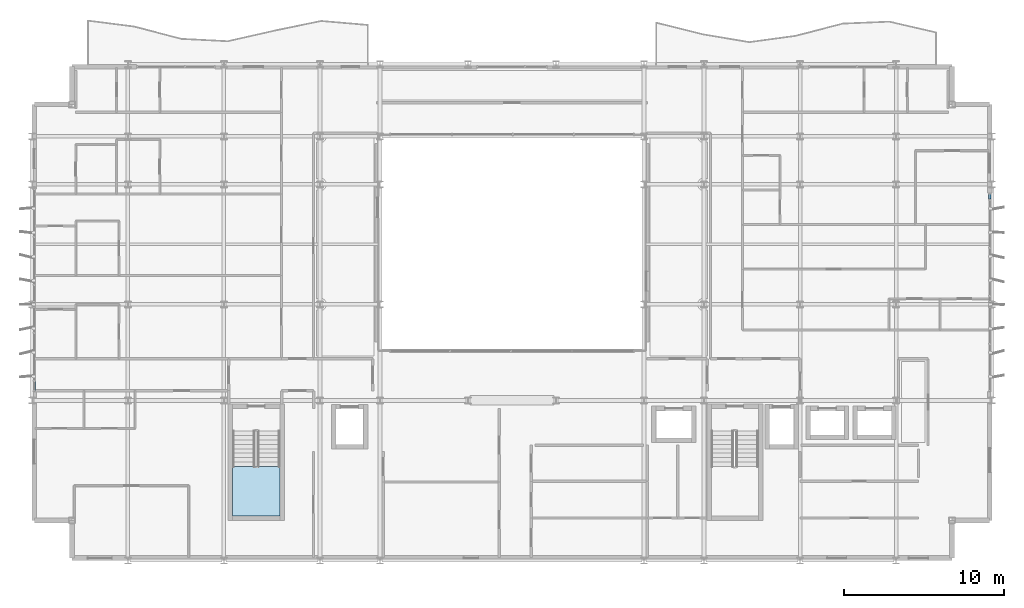
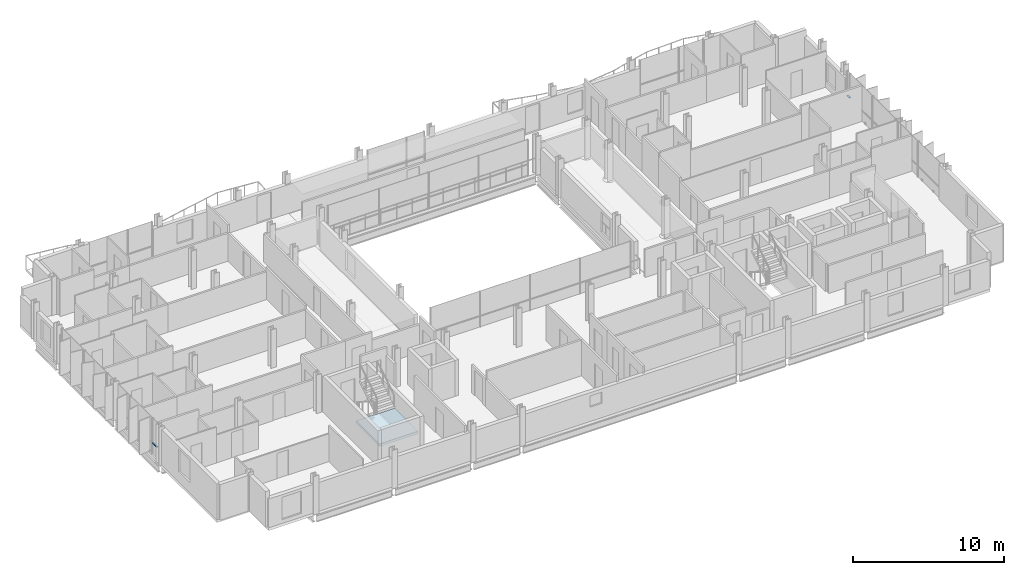
# One storey, part 23 of 39: 2 members, 1 slab, 3 elements without a shape of their own.
"""IFC4 building model written with IfcOpenShell, lengths in metres."""

from ifc_helpers import new_model, si_unit, direction, frame, origin, origin_2d, place, context, subcontext, project, spatial, polyline, hollow_rectangle, outline, extrude, material, layer, layer_set, material_profile, profile_set, type_object, element, aggregate, save


model = new_model("IFC4")

# Units and contexts
model_context = context("Model", 3, precision=1e-05, world=origin(), true_north=direction((0.0, 1.0)))
body_context = subcontext(model_context, "Body", "Model", "MODEL_VIEW")
ifc_project = project(units=[si_unit("LENGTHUNIT", "METRE"), si_unit("AREAUNIT", "SQUARE_METRE"), si_unit("VOLUMEUNIT", "CUBIC_METRE"), si_unit("PLANEANGLEUNIT", "RADIAN"), si_unit("MASSUNIT", "GRAM", prefix="KILO")], contexts=[model_context])

# Site, building, storey
site_placement = place(None, origin())
site = spatial("IfcSite", under=ifc_project, at=site_placement, CompositionType="ELEMENT")
building_placement = place(site_placement, origin())
building = spatial("IfcBuilding", under=site, at=building_placement, Name="Brevholm Reach", CompositionType="ELEMENT")
storey_placement = place(building_placement, frame((0.0, 0.0, 154.199951171875)))
storey = spatial("IfcBuildingStorey", under=building, at=storey_placement, Name="L46", CompositionType="ELEMENT", Elevation=154.199951171875)

# Curtain wall, member
ifc_material_1 = material(Name="Dark Anodised Aluminium 6063-T6 and Solar-Control Glass", Category="aluminium")
ifc_layer_1 = layer(ifc_material_1, 0.14990234375)
ifc_layer_set_1 = layer_set([ifc_layer_1], Name="Dark Anodised Aluminium 6063-T6 and Solar-Control Glass")
curtain_wall_type = type_object("IfcCurtainWallType", Name="CW-01", PredefinedType="NOTDEFINED", material=ifc_layer_set_1)
curtain_wall_1_placement = place(storey_placement, origin())
curtain_wall_1 = element("IfcCurtainWall", 1, at=curtain_wall_1_placement, inside=storey, type_object=curtain_wall_type, Name="L46 Curtain Wall CW-01", PredefinedType="NOTDEFINED")
ifc_material_2 = material(Name="Dark Anodised Aluminium 6063-T6", Category="aluminium")
ifc_material_profile = material_profile(ifc_material_2, hollow_rectangle(XDim=0.06494140625, YDim=0.14990234375, WallThickness=0.0048828125, InnerFilletRadius=0.0048828125, OuterFilletRadius=0.010009765625, at=origin_2d()), Name="RHS 150x65x5")
ifc_profile_set = profile_set([ifc_material_profile], Name="Dark Anodised Aluminium 6063-T6")
member_type = type_object("IfcMemberType", Name="CWT-150", PredefinedType="NOTDEFINED", material=ifc_profile_set)
member_1_placement = place(storey_placement, frame((0.14990234375, 11.1875, 0.900146484375), z_axis=(0.0, -1.0, 0.0), x_axis=(0.0, 0.0, 1.0)))
member_1 = element("IfcMember", 2, at=member_1_placement, type_object=member_type, Name="CT-150 Transom 5.1", ObjectType="TRANSOM", PredefinedType="USERDEFINED", context=body_context, shape_type="SweptSolid", body=[
    extrude(hollow_rectangle(XDim=0.06494140625, YDim=0.14990234375, WallThickness=0.0048828125, InnerFilletRadius=0.0048828125, OuterFilletRadius=0.010009765625, at=origin_2d()), origin(), (0.0, 0.0, 1.0), 0.572509765625),
])
aggregate(curtain_wall_1, [member_1])

curtain_wall_2_placement = place(storey_placement, origin())
curtain_wall_2 = element("IfcCurtainWall", 3, at=curtain_wall_2_placement, inside=storey, type_object=curtain_wall_type, Name="L46 Curtain Wall CW-01", PredefinedType="NOTDEFINED")
member_2_placement = place(storey_placement, frame((59.85009765625, 22.58251953125, 0.900146484375), z_axis=(0.0, 1.0, 0.0), x_axis=(0.0, 0.0, 1.0)))
member_2 = element("IfcMember", 4, at=member_2_placement, type_object=member_type, Name="CT-150 Transom 5.1", ObjectType="TRANSOM", PredefinedType="USERDEFINED", context=body_context, shape_type="SweptSolid", body=[
    extrude(hollow_rectangle(XDim=0.06494140625, YDim=0.14990234375, WallThickness=0.0048828125, InnerFilletRadius=0.0048828125, OuterFilletRadius=0.010009765625, at=origin_2d()), origin(), (0.0, 0.0, 1.0), 0.302490234375),
])
aggregate(curtain_wall_2, [member_2])

# Stair, slab
ifc_material_3 = material(Name="Precast Concrete C40/50", Category="concrete")
stair_type = type_object("IfcStairType", Name="STR-ESC-1400", PredefinedType="DOUBLE_RETURN_STAIR", material=ifc_material_3)
stair_placement = place(storey_placement, origin())
stair = element("IfcStair", 5, at=stair_placement, inside=storey, type_object=stair_type, Name="L46 ST-1", PredefinedType="DOUBLE_RETURN_STAIR")
ifc_material_4 = material(Name="Concrete C40/50", Category="concrete")
ifc_layer_2 = layer(ifc_material_4, 0.199951171875)
ifc_layer_set_2 = layer_set([ifc_layer_2], Name="Concrete C40/50")
slab_type = type_object("IfcSlabType", Name="SLB-LND-200", PredefinedType="LANDING", material=ifc_layer_set_2)
slab_placement = place(storey_placement, frame((0.0, 0.0, 1.35009765625)))
slab = element("IfcSlab", 6, at=slab_placement, type_object=slab_type, Name="ST-1 landing 1", PredefinedType="LANDING", context=body_context, shape_type="SweptSolid", body=[
    extrude(outline(polyline([(12.550048828125, 5.860107421875), (12.550048828125, 2.780029296875), (15.5, 2.780029296875), (15.5, 5.860107421875), (12.550048828125, 5.860107421875)])), origin(), (0.0, 0.0, 1.0), 0.199951171875),
])
aggregate(stair, [slab])

save(model, "model.ifc")
